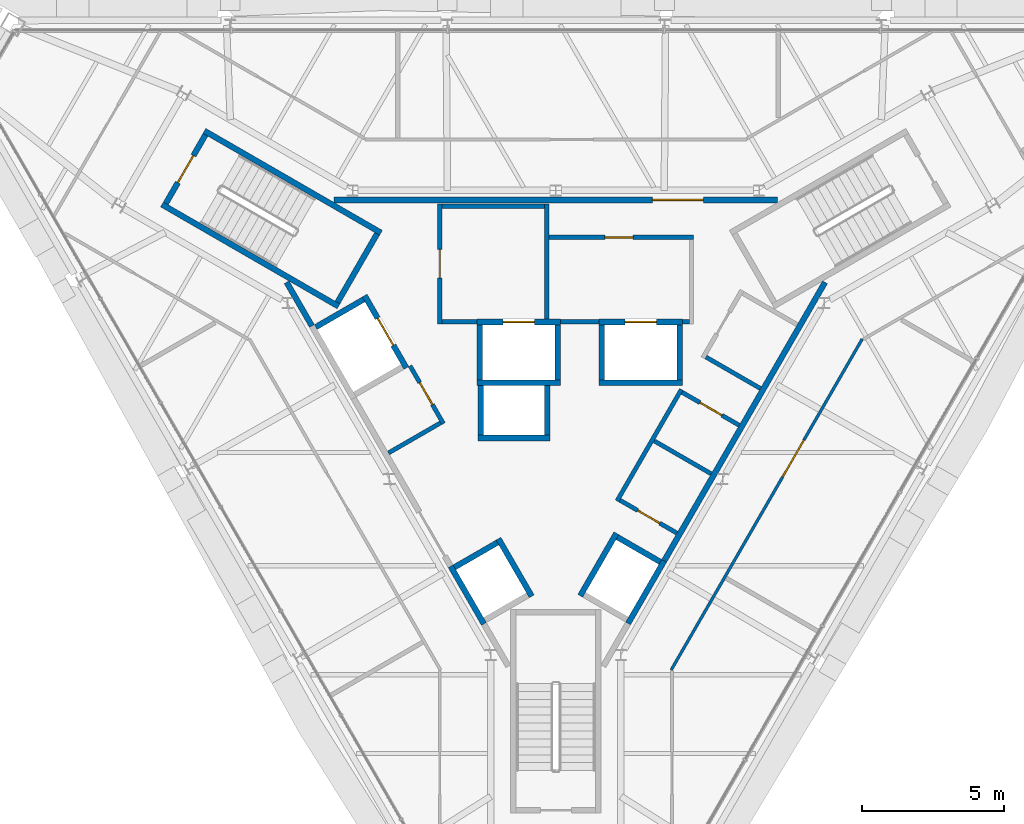
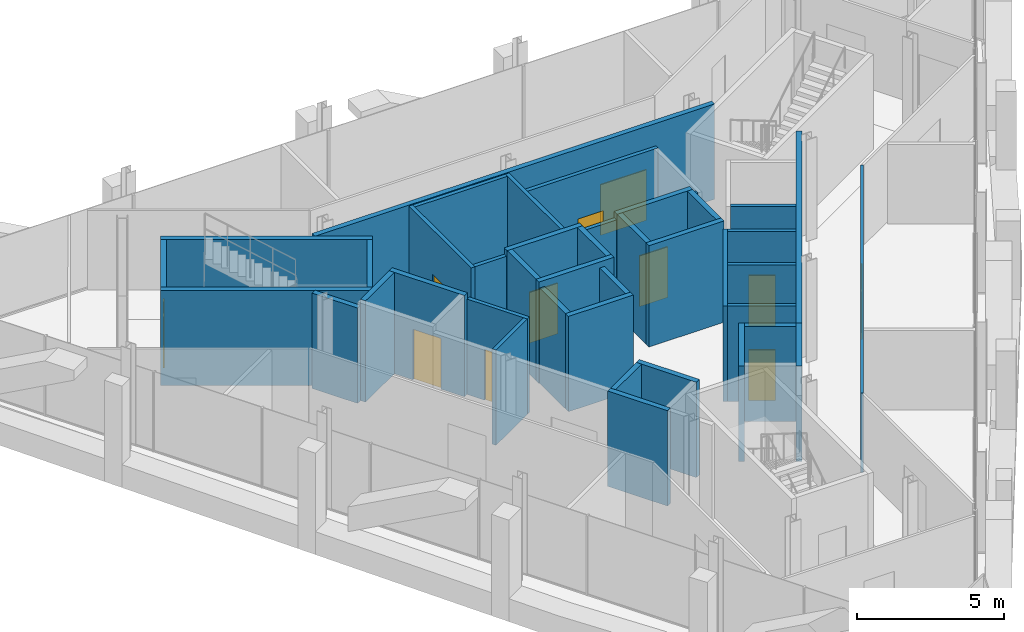
# One storey, part 10 of 13: 41 walls, 11 doors, 11 openings.
"""IFC4 building model written with IfcOpenShell, lengths in metres."""

from ifc_helpers import new_model, si_unit, direction, frame, frame_2d, origin, place, context, subcontext, project, spatial, rectangle, extrude, material, layer, layer_set, type_object, element, fill, save


model = new_model("IFC4")

# Units and contexts
model_context = context("Model", 3, precision=1e-05, world=origin(), true_north=direction((0.0, 1.0)))
body_context = subcontext(model_context, "Body", "Model", "MODEL_VIEW")
ifc_project = project(units=[si_unit("LENGTHUNIT", "METRE"), si_unit("AREAUNIT", "SQUARE_METRE"), si_unit("VOLUMEUNIT", "CUBIC_METRE"), si_unit("PLANEANGLEUNIT", "RADIAN"), si_unit("MASSUNIT", "GRAM", prefix="KILO")], contexts=[model_context])

# Site, building, storey
site_placement = place(None, origin())
site = spatial("IfcSite", under=ifc_project, at=site_placement, CompositionType="ELEMENT")
building_placement = place(site_placement, origin())
building = spatial("IfcBuilding", under=site, at=building_placement, Name="Verrane Prism Tower", CompositionType="ELEMENT")
storey_placement = place(building_placement, frame((0.0, 0.0, 308.39990234375)))
storey = spatial("IfcBuildingStorey", under=building, at=storey_placement, Name="L78", CompositionType="ELEMENT", Elevation=308.39990234375)

# Wall
ifc_material_1 = material(Name="Gypsum board partition", Category="other")
ifc_layer_1 = layer(ifc_material_1, 0.199951171875)
ifc_layer_set_1 = layer_set([ifc_layer_1], Name="CW-200 core boundary wall 2 h")
wall_type_1 = type_object("IfcWallType", Name="CW-200 core boundary wall 2 h", PredefinedType="PARTITIONING", material=ifc_layer_set_1)
wall_1_placement = place(storey_placement, frame((-9.509033203125, 3.550537109375, 0.0), z_axis=(0.0, 0.0, 1.0), x_axis=(0.499999136801, -0.866025902152, 0.0)))
element("IfcWall", 1, at=wall_1_placement, inside=storey, type_object=wall_type_1, Name="Core boundary wall CW3-001", PredefinedType="PARTITIONING", context=body_context, shape_type="SweptSolid", body=[
    extrude(rectangle(XDim=1.7822265625, YDim=0.199951171875, at=frame_2d((0.89111328125, 0.0))), origin(), (0.0, 0.0, 1.0), 3.9501953125),
])

# Wall, opening, door
wall_2_placement = place(storey_placement, frame((7.8291015625, 6.4599609375, 0.0), z_axis=(0.0, 0.0, 1.0), x_axis=(-1.0, 0.0, 0.0)))
wall_2 = element("IfcWall", 2, at=wall_2_placement, inside=storey, type_object=wall_type_1, Name="Core boundary wall CW3-002", PredefinedType="PARTITIONING", context=body_context, shape_type="SweptSolid", body=[
    extrude(rectangle(XDim=15.658203125, YDim=0.199951171875, at=frame_2d((7.8291015625, 0.0))), origin(), (0.0, 0.0, 1.0), 3.9501953125),
])
opening_1_placement = place(wall_2_placement, frame((2.617919921875, 0.0, 0.0)))
opening_1 = element("IfcOpeningElement", 3, at=opening_1_placement, cuts=wall_2, Name="Opening D78506", PredefinedType="OPENING", context=body_context, shape_type="SweptSolid", body=[
    extrude(rectangle(XDim=1.800048828125, YDim=2.10009765625, at=frame_2d((0.89990234375, 1.050048828125))), frame((0.0, 0.10986328125, 0.0), z_axis=(0.0, -1.0, 0.0), x_axis=(1.0, 0.0, 0.0)), (0.0, 0.0, 1.0), 0.219970703125),
])
ifc_material_2 = material(Name="Timber veneered door leaf", Category="wood")
door_type_1 = type_object("IfcDoorType", Name="DR-1800x2100 FD60 double leaf lift lobby", OperationType="NOTDEFINED", PredefinedType="DOOR", material=ifc_material_2)
door_1_placement = place(opening_1_placement, origin())
door_1 = element("IfcDoor", 4, at=door_1_placement, inside=storey, type_object=door_type_1, Name="Lift lobby door D78506", OperationType="DOUBLE_DOOR_SINGLE_SWING", OverallHeight=2.10009765625, OverallWidth=1.800048828125, PredefinedType="DOOR", context=body_context, shape_type="SweptSolid", body=[
    extrude(rectangle(XDim=1.800048828125, YDim=2.10009765625, at=frame_2d((0.89990234375, 1.050048828125))), frame((0.0, 0.02490234375, 0.0), z_axis=(0.0, -1.0, 0.0), x_axis=(1.0, 0.0, 0.0)), (0.0, 0.0, 1.0), 0.050048828125),
])
fill(opening_1, door_1)

# Wall
wall_3_placement = place(storey_placement, frame((3.827880859375, -6.2900390625, 0.0), z_axis=(0.0, 0.0, 1.0), x_axis=(0.499979739078, 0.866037101117, 0.0)))
element("IfcWall", 5, at=wall_3_placement, inside=storey, type_object=wall_type_1, Name="Core boundary wall CW3-006", PredefinedType="PARTITIONING", context=body_context, shape_type="SweptSolid", body=[
    extrude(rectangle(XDim=11.36279296875, YDim=0.199951171875, at=frame_2d((5.681396484375, 0.0))), origin(), (0.0, 0.0, 1.0), 3.9501953125),
])

# Wall, opening, door
ifc_material_3 = material(Name="Concrete C40/50", Category="concrete")
ifc_layer_2 = layer(ifc_material_3, 0.199951171875)
ifc_layer_set_2 = layer_set([ifc_layer_2], Name="CW-200 stair core wall concrete C40/50 3 h")
wall_type_2 = type_object("IfcWallType", Name="CW-200 stair core wall concrete C40/50 3 h", PredefinedType="PARTITIONING", material=ifc_layer_set_2)
wall_4_placement = place(storey_placement, frame((-12.376953125, 8.762451171875, 0.0), z_axis=(0.0, 0.0, 1.0), x_axis=(-0.500049511043, -0.865996816683, 0.0)))
wall_4 = element("IfcWall", 6, at=wall_4_placement, inside=storey, type_object=wall_type_2, Name="Stair 2 enclosure wall", PredefinedType="PARTITIONING", context=body_context, shape_type="SweptSolid", body=[
    extrude(rectangle(XDim=2.800048828125, YDim=0.199951171875, at=frame_2d((1.39990234375, 0.0))), origin(), (0.0, 0.0, 1.0), 3.9501953125),
])
opening_2_placement = place(wall_4_placement, frame((0.849853515625, 0.0, 0.0)))
opening_2 = element("IfcOpeningElement", 7, at=opening_2_placement, cuts=wall_4, Name="Opening D78501", PredefinedType="OPENING", context=body_context, shape_type="SweptSolid", body=[
    extrude(rectangle(XDim=1.10009765625, YDim=2.10009765625, at=frame_2d((0.550048828125, 1.050048828125))), frame((0.0, 0.10986328125, 0.0), z_axis=(0.0, -1.0, 0.0), x_axis=(1.0, 0.0, 0.0)), (0.0, 0.0, 1.0), 0.219970703125),
])
ifc_material_4 = material(Name="Timber veneered door leaf", Category="wood")
door_type_2 = type_object("IfcDoorType", Name="DR-1100x2100 FD90 single leaf stair", OperationType="NOTDEFINED", PredefinedType="DOOR", material=ifc_material_4)
door_2_placement = place(opening_2_placement, origin())
door_2 = element("IfcDoor", 8, at=door_2_placement, inside=storey, type_object=door_type_2, Name="Stair 2 door", OperationType="SINGLE_SWING_RIGHT", OverallHeight=2.10009765625, OverallWidth=1.10009765625, PredefinedType="DOOR", context=body_context, shape_type="SweptSolid", body=[
    extrude(rectangle(XDim=1.10009765625, YDim=2.10009765625, at=frame_2d((0.550048828125, 1.050048828125))), frame((0.0, 0.02490234375, 0.0), z_axis=(0.0, -1.0, 0.0), x_axis=(1.0, 0.0, 0.0)), (0.0, 0.0, 1.0), 0.050048828125),
])
fill(opening_2, door_2)

# Walls
for number, where, z_axis, x_axis, name in (
    (9, (-7.67822265625, 2.700927734375, 0.0), (0.0, 0.0, 1.0), (-0.866018442252, 0.500012057535, 0.0), "Stair 2 enclosure wall"),
    (10, (-6.17822265625, 5.299072265625, 0.0), (0.0, 0.0, 1.0), (-0.866033125095, 0.499986626058, 0.0), "Stair 2 enclosure wall"),
):
    element("IfcWall", number, at=place(storey_placement, frame(where, z_axis=z_axis, x_axis=x_axis)), inside=storey, type_object=wall_type_2, Name=name, PredefinedType="PARTITIONING", context=body_context, shape_type="SweptSolid", body=[
        extrude(rectangle(XDim=7.199951171875, YDim=0.199951171875, at=frame_2d((3.60009765625, 0.0))), origin(), (0.0, 0.0, 1.0), 3.9501953125),
    ])
wall_5_placement = place(storey_placement, frame((-6.314697265625, 5.262451171875, 0.0), z_axis=(0.0, 0.0, 1.0), x_axis=(-0.500049511043, -0.865996816683, 0.0)))
element("IfcWall", 11, at=wall_5_placement, inside=storey, type_object=wall_type_2, Name="Stair 2 enclosure wall", PredefinedType="PARTITIONING", context=body_context, shape_type="SweptSolid", body=[
    extrude(rectangle(XDim=2.800048828125, YDim=0.199951171875, at=frame_2d((1.39990234375, 0.0))), origin(), (0.0, 0.0, 1.0), 3.9501953125),
])
ifc_material_5 = material(Name="Gypsum board shaft wall assembly", Category="other")
ifc_layer_3 = layer(ifc_material_5, 0.199951171875)
ifc_layer_set_3 = layer_set([ifc_layer_3], Name="HW-200 lift shaft wall 2 h")
wall_type_3 = type_object("IfcWallType", Name="HW-200 lift shaft wall 2 h", PredefinedType="PARTITIONING", material=ifc_layer_set_3)
wall_6_placement = place(storey_placement, frame((-2.7548828125, -1.949951171875, 0.0), z_axis=(0.0, 0.0, 1.0), x_axis=(1.0, 0.0, 0.0)))
element("IfcWall", 12, at=wall_6_placement, inside=storey, type_object=wall_type_3, Name="Lift shaft wall", PredefinedType="PARTITIONING", context=body_context, shape_type="SweptSolid", body=[
    extrude(rectangle(XDim=2.5498046875, YDim=0.199951171875, at=frame_2d((1.27490234375, 0.0))), origin(), (0.0, 0.0, 1.0), 3.9501953125),
])
wall_7_placement = place(storey_placement, frame((-2.784912109375, 0.0, 0.0), z_axis=(0.0, 0.0, 1.0), x_axis=(1.0, 0.0, 0.0)))
element("IfcWall", 13, at=wall_7_placement, inside=storey, type_object=wall_type_3, Name="Lift shaft wall", PredefinedType="PARTITIONING", context=body_context, shape_type="SweptSolid", body=[
    extrude(rectangle(XDim=2.949951171875, YDim=0.199951171875, at=frame_2d((1.47509765625, 0.0))), origin(), (0.0, 0.0, 1.0), 4.2001953125),
])
wall_8_placement = place(storey_placement, frame((1.52490234375, 0.0, 0.0), z_axis=(0.0, 0.0, 1.0), x_axis=(1.0, 0.0, 0.0)))
element("IfcWall", 14, at=wall_8_placement, inside=storey, type_object=wall_type_3, Name="Lift shaft wall", PredefinedType="PARTITIONING", context=body_context, shape_type="SweptSolid", body=[
    extrude(rectangle(XDim=2.9501953125, YDim=0.199951171875, at=frame_2d((1.47509765625, 0.0))), origin(), (0.0, 0.0, 1.0), 4.2001953125),
])

# Wall, opening, door
wall_9_placement = place(storey_placement, frame((-2.784912109375, 2.14990234375, 0.0), z_axis=(0.0, 0.0, 1.0), x_axis=(1.0, 0.0, 0.0)))
wall_9 = element("IfcWall", 15, at=wall_9_placement, inside=storey, type_object=wall_type_3, Name="Lift shaft wall", PredefinedType="PARTITIONING", context=body_context, shape_type="SweptSolid", body=[
    extrude(rectangle(XDim=2.949951171875, YDim=0.199951171875, at=frame_2d((1.47509765625, 0.0))), origin(), (0.0, 0.0, 1.0), 4.2001953125),
])
opening_3_placement = place(wall_9_placement, frame((0.925048828125, 0.0, 0.0)))
opening_3 = element("IfcOpeningElement", 16, at=opening_3_placement, cuts=wall_9, Name="Opening D78503", PredefinedType="OPENING", context=body_context, shape_type="SweptSolid", body=[
    extrude(rectangle(XDim=1.10009765625, YDim=2.10009765625, at=frame_2d((0.550048828125, 1.050048828125))), frame((0.0, 0.10986328125, 0.0), z_axis=(0.0, -1.0, 0.0), x_axis=(1.0, 0.0, 0.0)), (0.0, 0.0, 1.0), 0.219970703125),
])
ifc_material_6 = material(Name="Stainless steel sliding landing door", Category="steel")
door_type_3 = type_object("IfcDoorType", Name="LD-1100x2100 lift landing door FD90 sliding", OperationType="NOTDEFINED", PredefinedType="DOOR", material=ifc_material_6)
door_3_placement = place(opening_3_placement, origin())
door_3 = element("IfcDoor", 17, at=door_3_placement, inside=storey, type_object=door_type_3, Name="Fire service lift 1 landing door", OperationType="SLIDING_TO_LEFT", OverallHeight=2.10009765625, OverallWidth=1.10009765625, PredefinedType="DOOR", context=body_context, shape_type="SweptSolid", body=[
    extrude(rectangle(XDim=1.10009765625, YDim=2.10009765625, at=frame_2d((0.550048828125, 1.050048828125))), frame((0.0, 0.02490234375, 0.0), z_axis=(0.0, -1.0, 0.0), x_axis=(1.0, 0.0, 0.0)), (0.0, 0.0, 1.0), 0.050048828125),
])
fill(opening_3, door_3)

wall_10_placement = place(storey_placement, frame((1.52490234375, 2.14990234375, 0.0), z_axis=(0.0, 0.0, 1.0), x_axis=(1.0, 0.0, 0.0)))
wall_10 = element("IfcWall", 18, at=wall_10_placement, inside=storey, type_object=wall_type_3, Name="Lift shaft wall", PredefinedType="PARTITIONING", context=body_context, shape_type="SweptSolid", body=[
    extrude(rectangle(XDim=2.9501953125, YDim=0.199951171875, at=frame_2d((1.47509765625, 0.0))), origin(), (0.0, 0.0, 1.0), 4.2001953125),
])
opening_4_placement = place(wall_10_placement, frame((0.925048828125, 0.0, 0.0)))
opening_4 = element("IfcOpeningElement", 19, at=opening_4_placement, cuts=wall_10, Name="Opening D78504", PredefinedType="OPENING", context=body_context, shape_type="SweptSolid", body=[
    extrude(rectangle(XDim=1.10009765625, YDim=2.10009765625, at=frame_2d((0.550048828125, 1.050048828125))), frame((0.0, 0.10986328125, 0.0), z_axis=(0.0, -1.0, 0.0), x_axis=(1.0, 0.0, 0.0)), (0.0, 0.0, 1.0), 0.219970703125),
])
door_4_placement = place(opening_4_placement, origin())
door_4 = element("IfcDoor", 20, at=door_4_placement, inside=storey, type_object=door_type_3, Name="Fire service lift 2 landing door", OperationType="SLIDING_TO_RIGHT", OverallHeight=2.10009765625, OverallWidth=1.10009765625, PredefinedType="DOOR", context=body_context, shape_type="SweptSolid", body=[
    extrude(rectangle(XDim=1.10009765625, YDim=2.10009765625, at=frame_2d((0.550048828125, 1.050048828125))), frame((0.0, 0.02490234375, 0.0), z_axis=(0.0, -1.0, 0.0), x_axis=(1.0, 0.0, 0.0)), (0.0, 0.0, 1.0), 0.050048828125),
])
fill(opening_4, door_4)

# Walls
wall_11_placement = place(storey_placement, frame((-3.580322265625, -6.5185546875, 0.0), z_axis=(0.0, 0.0, 1.0), x_axis=(0.866002029911, 0.500040482552, 0.0)))
element("IfcWall", 21, at=wall_11_placement, inside=storey, type_object=wall_type_3, Name="Lift shaft wall", PredefinedType="PARTITIONING", context=body_context, shape_type="SweptSolid", body=[
    extrude(rectangle(XDim=1.749755859375, YDim=0.199951171875, at=frame_2d((0.875, 0.0))), origin(), (0.0, 0.0, 1.0), 3.9501953125),
])
wall_12_placement = place(storey_placement, frame((-8.48046875, 1.968505859375, 0.0), z_axis=(0.0, 0.0, 1.0), x_axis=(0.866000020948, 0.500043961785, 0.0)))
element("IfcWall", 22, at=wall_12_placement, inside=storey, type_object=wall_type_3, Name="Lift shaft wall", PredefinedType="PARTITIONING", context=body_context, shape_type="SweptSolid", body=[
    extrude(rectangle(XDim=1.949951171875, YDim=0.199951171875, at=frame_2d((0.97509765625, 0.0))), origin(), (0.0, 0.0, 1.0), 4.2001953125),
])
for number, where, z_axis, x_axis, name in (
    (23, (2.552001953125, -8.499755859375, 0.0), (0.0, 0.0, 1.0), (0.499990435942, 0.866030925526, 0.0), "Lift shaft wall"),
    (24, (0.86328125, -7.524658203125, 0.0), (0.0, 0.0, 1.0), (0.499990435942, 0.866030925526, 0.0), "Lift shaft wall"),
):
    element("IfcWall", number, at=place(storey_placement, frame(where, z_axis=z_axis, x_axis=x_axis)), inside=storey, type_object=wall_type_3, Name=name, PredefinedType="PARTITIONING", context=body_context, shape_type="SweptSolid", body=[
        extrude(rectangle(XDim=2.5498046875, YDim=0.199951171875, at=frame_2d((1.27490234375, 0.0))), origin(), (0.0, 0.0, 1.0), 3.9501953125),
    ])
for number, where, z_axis, x_axis, name in (
    (25, (4.375, 0.10009765625, 0.0), (0.0, 0.0, 1.0), (0.0, 1.0, 0.0), "Lift shaft wall"),
    (26, (1.625, 0.10009765625, 0.0), (0.0, 0.0, 1.0), (0.0, 1.0, 0.0), "Lift shaft wall"),
    (27, (0.06494140625, 0.10009765625, 0.0), (0.0, 0.0, 1.0), (0.0, 1.0, 0.0), "Lift shaft wall"),
):
    element("IfcWall", number, at=place(storey_placement, frame(where, z_axis=z_axis, x_axis=x_axis)), inside=storey, type_object=wall_type_3, Name=name, PredefinedType="PARTITIONING", context=body_context, shape_type="SweptSolid", body=[
        extrude(rectangle(XDim=1.949951171875, YDim=0.199951171875, at=frame_2d((0.97509765625, 0.0))), origin(), (0.0, 0.0, 1.0), 4.2001953125),
    ])
for number, where, z_axis, x_axis, name in (
    (28, (-0.304931640625, -1.85009765625, 0.0), (0.0, 0.0, 1.0), (0.0, 1.0, 0.0), "Lift shaft wall"),
    (29, (-2.655029296875, -1.85009765625, 0.0), (0.0, 0.0, 1.0), (0.0, 1.0, 0.0), "Lift shaft wall"),
):
    element("IfcWall", number, at=place(storey_placement, frame(where, z_axis=z_axis, x_axis=x_axis)), inside=storey, type_object=wall_type_3, Name=name, PredefinedType="PARTITIONING", context=body_context, shape_type="SweptSolid", body=[
        extrude(rectangle(XDim=1.75, YDim=0.199951171875, at=frame_2d((0.875, 0.0))), origin(), (0.0, 0.0, 1.0), 3.9501953125),
    ])
wall_13_placement = place(storey_placement, frame((-2.68505859375, 0.10009765625, 0.0), z_axis=(0.0, 0.0, 1.0), x_axis=(0.0, 1.0, 0.0)))
element("IfcWall", 30, at=wall_13_placement, inside=storey, type_object=wall_type_3, Name="Lift shaft wall", PredefinedType="PARTITIONING", context=body_context, shape_type="SweptSolid", body=[
    extrude(rectangle(XDim=1.949951171875, YDim=0.199951171875, at=frame_2d((0.97509765625, 0.0))), origin(), (0.0, 0.0, 1.0), 4.2001953125),
])

# Wall, opening, door
wall_14_placement = place(storey_placement, frame((-5.280029296875, 0.525390625, 0.0), z_axis=(0.0, 0.0, 1.0), x_axis=(-0.500037662692, 0.866003658127, 0.0)))
wall_14 = element("IfcWall", 31, at=wall_14_placement, inside=storey, type_object=wall_type_3, Name="Lift shaft wall", PredefinedType="PARTITIONING", context=body_context, shape_type="SweptSolid", body=[
    extrude(rectangle(XDim=2.949951171875, YDim=0.199951171875, at=frame_2d((1.47509765625, 0.0))), origin(), (0.0, 0.0, 1.0), 4.2001953125),
])
opening_5_placement = place(wall_14_placement, frame((0.925048828125, 0.0, 0.0)))
opening_5 = element("IfcOpeningElement", 32, at=opening_5_placement, cuts=wall_14, Name="Opening D78505", PredefinedType="OPENING", context=body_context, shape_type="SweptSolid", body=[
    extrude(rectangle(XDim=1.10009765625, YDim=2.10009765625, at=frame_2d((0.550048828125, 1.050048828125))), frame((0.0, 0.10986328125, 0.0), z_axis=(0.0, -1.0, 0.0), x_axis=(1.0, 0.0, 0.0)), (0.0, 0.0, 1.0), 0.219970703125),
])
door_5_placement = place(opening_5_placement, origin())
door_5 = element("IfcDoor", 33, at=door_5_placement, inside=storey, type_object=door_type_3, Name="Service lift 1 landing door", OperationType="SLIDING_TO_LEFT", OverallHeight=2.10009765625, OverallWidth=1.10009765625, PredefinedType="DOOR", context=body_context, shape_type="SweptSolid", body=[
    extrude(rectangle(XDim=1.10009765625, YDim=2.10009765625, at=frame_2d((0.550048828125, 1.050048828125))), frame((0.0, 0.02490234375, 0.0), z_axis=(0.0, -1.0, 0.0), x_axis=(1.0, 0.0, 0.0)), (0.0, 0.0, 1.0), 0.050048828125),
])
fill(opening_5, door_5)

# Walls
for number, where, z_axis, x_axis, name in (
    (34, (-0.853271484375, -7.5419921875, 0.0), (0.0, 0.0, 1.0), (-0.500016218704, 0.866016039709, 0.0), "Lift shaft wall"),
    (35, (-2.5419921875, -8.51708984375, 0.0), (0.0, 0.0, 1.0), (-0.500016218704, 0.866016039709, 0.0), "Lift shaft wall"),
):
    element("IfcWall", number, at=place(storey_placement, frame(where, z_axis=z_axis, x_axis=x_axis)), inside=storey, type_object=wall_type_3, Name=name, PredefinedType="PARTITIONING", context=body_context, shape_type="SweptSolid", body=[
        extrude(rectangle(XDim=2.35009765625, YDim=0.199951171875, at=frame_2d((1.175048828125, 0.0))), origin(), (0.0, 0.0, 1.0), 3.9501953125),
    ])
wall_15_placement = place(storey_placement, frame((3.6904296875, -6.327880859375, 0.0), z_axis=(0.0, 0.0, 1.0), x_axis=(-0.866036909293, 0.499980071345, 0.0)))
element("IfcWall", 36, at=wall_15_placement, inside=storey, type_object=wall_type_3, Name="Lift shaft wall", PredefinedType="PARTITIONING", context=body_context, shape_type="SweptSolid", body=[
    extrude(rectangle(XDim=1.75, YDim=0.199951171875, at=frame_2d((0.875, 0.0))), origin(), (0.0, 0.0, 1.0), 3.9501953125),
])

# Wall, opening, door
ifc_material_7 = material(Name="Gypsum board partition", Category="other")
ifc_layer_4 = layer(ifc_material_7, 0.14990234375)
ifc_layer_set_4 = layer_set([ifc_layer_4], Name="LF-150 firefighting lobby wall 1 h")
wall_type_4 = type_object("IfcWallType", Name="LF-150 firefighting lobby wall 1 h", PredefinedType="PARTITIONING", material=ifc_layer_set_4)
wall_16_placement = place(storey_placement, frame((-4.10009765625, 2.0849609375, 0.0), z_axis=(0.0, 0.0, 1.0), x_axis=(0.0, 1.0, 0.0)))
wall_16 = element("IfcWall", 37, at=wall_16_placement, inside=storey, type_object=wall_type_4, Name="Firefighting lobby wall LF1-001", PredefinedType="PARTITIONING", context=body_context, shape_type="SweptSolid", body=[
    extrude(rectangle(XDim=4.22998046875, YDim=0.14990234375, at=frame_2d((2.114990234375, 0.0))), origin(), (0.0, 0.0, 1.0), 3.9501953125),
])
opening_6_placement = place(wall_16_placement, frame((1.625, 0.0, 0.0)))
opening_6 = element("IfcOpeningElement", 38, at=opening_6_placement, cuts=wall_16, Name="Opening D78509", PredefinedType="OPENING", context=body_context, shape_type="SweptSolid", body=[
    extrude(rectangle(XDim=1.0, YDim=2.10009765625, at=frame_2d((0.5, 1.050048828125))), frame((0.0, 0.0849609375, 0.0), z_axis=(0.0, -1.0, 0.0), x_axis=(1.0, 0.0, 0.0)), (0.0, 0.0, 1.0), 0.169921875),
])
ifc_material_8 = material(Name="Timber veneered door leaf", Category="wood")
door_type_4 = type_object("IfcDoorType", Name="DR-1000x2100 FD60 single leaf firefighting lobby", OperationType="NOTDEFINED", PredefinedType="DOOR", material=ifc_material_8)
door_6_placement = place(opening_6_placement, origin())
door_6 = element("IfcDoor", 39, at=door_6_placement, inside=storey, type_object=door_type_4, Name="Firefighting lobby door D78509", OperationType="SINGLE_SWING_LEFT", OverallHeight=2.10009765625, OverallWidth=1.0, PredefinedType="DOOR", context=body_context, shape_type="SweptSolid", body=[
    extrude(rectangle(XDim=1.0, YDim=2.10009765625, at=frame_2d((0.5, 1.050048828125))), frame((0.0, 0.02490234375, 0.0), z_axis=(0.0, -1.0, 0.0), x_axis=(1.0, 0.0, 0.0)), (0.0, 0.0, 1.0), 0.050048828125),
])
fill(opening_6, door_6)

# Walls
wall_17_placement = place(storey_placement, frame((-4.02490234375, 2.159912109375, 0.0), z_axis=(0.0, 0.0, 1.0), x_axis=(1.0, 0.0, 0.0)))
element("IfcWall", 40, at=wall_17_placement, inside=storey, type_object=wall_type_4, Name="Firefighting lobby wall LF1-002", PredefinedType="PARTITIONING", context=body_context, shape_type="SweptSolid", body=[
    extrude(rectangle(XDim=1.23779296875, YDim=0.14990234375, at=frame_2d((0.618896484375, 0.0))), origin(), (0.0, 0.0, 1.0), 3.9501953125),
])
wall_18_placement = place(storey_placement, frame((-4.02490234375, 6.239990234375, 0.0), z_axis=(0.0, 0.0, 1.0), x_axis=(1.0, 0.0, 0.0)))
element("IfcWall", 41, at=wall_18_placement, inside=storey, type_object=wall_type_4, Name="Firefighting lobby wall LF1-003", PredefinedType="PARTITIONING", context=body_context, shape_type="SweptSolid", body=[
    extrude(rectangle(XDim=3.6298828125, YDim=0.14990234375, at=frame_2d((1.81494140625, 0.0))), origin(), (0.0, 0.0, 1.0), 3.9501953125),
])
wall_19_placement = place(storey_placement, frame((-0.320068359375, 2.251953125, 0.0), z_axis=(0.0, 0.0, 1.0), x_axis=(0.0, 1.0, 0.0)))
element("IfcWall", 42, at=wall_19_placement, inside=storey, type_object=wall_type_4, Name="Firefighting lobby wall LF1-004", PredefinedType="PARTITIONING", context=body_context, shape_type="SweptSolid", body=[
    extrude(rectangle(XDim=4.06298828125, YDim=0.14990234375, at=frame_2d((2.031494140625, 0.0))), origin(), (0.0, 0.0, 1.0), 3.9501953125),
])

# Wall, opening, door
wall_20_placement = place(storey_placement, frame((-0.2451171875, 5.139892578125, 0.0), z_axis=(0.0, 0.0, 1.0), x_axis=(1.0, 0.0, 0.0)))
wall_20 = element("IfcWall", 43, at=wall_20_placement, inside=storey, type_object=wall_type_4, Name="Firefighting lobby wall LF1-005", PredefinedType="PARTITIONING", context=body_context, shape_type="SweptSolid", body=[
    extrude(rectangle(XDim=5.110107421875, YDim=0.14990234375, at=frame_2d((2.55517578125, 0.0))), origin(), (0.0, 0.0, 1.0), 3.9501953125),
])
opening_7_placement = place(wall_20_placement, frame((1.97509765625, 0.0, 0.0)))
opening_7 = element("IfcOpeningElement", 44, at=opening_7_placement, cuts=wall_20, Name="Opening D78510", PredefinedType="OPENING", context=body_context, shape_type="SweptSolid", body=[
    extrude(rectangle(XDim=1.0, YDim=2.10009765625, at=frame_2d((0.5, 1.050048828125))), frame((0.0, 0.0849609375, 0.0), z_axis=(0.0, -1.0, 0.0), x_axis=(1.0, 0.0, 0.0)), (0.0, 0.0, 1.0), 0.169921875),
])
door_7_placement = place(opening_7_placement, origin())
door_7 = element("IfcDoor", 45, at=door_7_placement, inside=storey, type_object=door_type_4, Name="Firefighting lobby door D78510", OperationType="SINGLE_SWING_RIGHT", OverallHeight=2.10009765625, OverallWidth=1.0, PredefinedType="DOOR", context=body_context, shape_type="SweptSolid", body=[
    extrude(rectangle(XDim=1.0, YDim=2.10009765625, at=frame_2d((0.5, 1.050048828125))), frame((0.0, 0.02490234375, 0.0), z_axis=(0.0, -1.0, 0.0), x_axis=(1.0, 0.0, 0.0)), (0.0, 0.0, 1.0), 0.050048828125),
])
fill(opening_7, door_7)

# Walls
wall_21_placement = place(storey_placement, frame((0.1669921875, 2.159912109375, 0.0), z_axis=(0.0, 0.0, 1.0), x_axis=(1.0, 0.0, 0.0)))
element("IfcWall", 46, at=wall_21_placement, inside=storey, type_object=wall_type_4, Name="Firefighting lobby wall LF1-006", PredefinedType="PARTITIONING", context=body_context, shape_type="SweptSolid", body=[
    extrude(rectangle(XDim=1.35595703125, YDim=0.14990234375, at=frame_2d((0.677978515625, 0.0))), origin(), (0.0, 0.0, 1.0), 3.9501953125),
])
wall_22_placement = place(storey_placement, frame((4.47705078125, 2.159912109375, 0.0), z_axis=(0.0, 0.0, 1.0), x_axis=(1.0, 0.0, 0.0)))
element("IfcWall", 47, at=wall_22_placement, inside=storey, type_object=wall_type_4, Name="Firefighting lobby wall LF1-007", PredefinedType="PARTITIONING", context=body_context, shape_type="SweptSolid", body=[
    extrude(rectangle(XDim=0.238037109375, YDim=0.14990234375, at=frame_2d((0.119140625, 0.0))), origin(), (0.0, 0.0, 1.0), 3.9501953125),
])

# Wall, opening, door
ifc_material_9 = material(Name="Gypsum board partition", Category="other")
ifc_layer_5 = layer(ifc_material_9, 0.10009765625)
ifc_layer_set_5 = layer_set([ifc_layer_5], Name="PW-100 crown corridor wall 1 h")
wall_type_5 = type_object("IfcWallType", Name="PW-100 crown corridor wall 1 h", PredefinedType="PARTITIONING", material=ifc_layer_set_5)
wall_23_placement = place(storey_placement, frame((10.822998046875, 1.54541015625, 0.0), z_axis=(0.0, 0.0, 1.0), x_axis=(-0.499912942625, -0.866075660549, 0.0)))
wall_23 = element("IfcWall", 48, at=wall_23_placement, inside=storey, type_object=wall_type_5, Name="Corridor wall 012", PredefinedType="PARTITIONING", context=body_context, shape_type="SweptSolid", body=[
    extrude(rectangle(XDim=13.49853515625, YDim=0.10009765625, at=frame_2d((6.749267578125, 0.0))), origin(), (0.0, 0.0, 1.0), 3.297119140625),
])
opening_8_placement = place(wall_23_placement, frame((4.119384765625, 0.0, 0.0)))
opening_8 = element("IfcOpeningElement", 49, at=opening_8_placement, cuts=wall_23, Name="Opening D78009", PredefinedType="OPENING", context=body_context, shape_type="SweptSolid", body=[
    extrude(rectangle(XDim=1.5, YDim=2.10009765625, at=frame_2d((0.75, 1.050048828125))), frame((0.0, 0.06005859375, 0.0), z_axis=(0.0, -1.0, 0.0), x_axis=(1.0, 0.0, 0.0)), (0.0, 0.0, 1.0), 0.1201171875),
])
ifc_material_10 = material(Name="Timber veneered door leaf", Category="wood")
door_type_5 = type_object("IfcDoorType", Name="DR-1500x2100 FD60 double leaf unit", OperationType="NOTDEFINED", PredefinedType="DOOR", material=ifc_material_10)
door_8_placement = place(opening_8_placement, origin())
door_8 = element("IfcDoor", 50, at=door_8_placement, inside=storey, type_object=door_type_5, Name="Mechanical Plant Room door", OperationType="DOUBLE_DOOR_SINGLE_SWING", OverallHeight=2.10009765625, OverallWidth=1.5, PredefinedType="DOOR", context=body_context, shape_type="SweptSolid", body=[
    extrude(rectangle(XDim=1.5, YDim=2.10009765625, at=frame_2d((0.75, 1.050048828125))), frame((0.0, 0.02490234375, 0.0), z_axis=(0.0, -1.0, 0.0), x_axis=(1.0, 0.0, 0.0)), (0.0, 0.0, 1.0), 0.050048828125),
])
fill(opening_8, door_8)

# Wall
ifc_material_11 = material(Name="Gypsum board partition", Category="other")
ifc_layer_6 = layer(ifc_material_11, 0.14990234375)
ifc_layer_set_6 = layer_set([ifc_layer_6], Name="RS-150 riser enclosure wall 1 h")
wall_type_6 = type_object("IfcWallType", Name="RS-150 riser enclosure wall 1 h", PredefinedType="PARTITIONING", material=ifc_layer_set_6)
wall_24_placement = place(storey_placement, frame((-5.912353515625, -2.47802734375, 0.0), z_axis=(0.0, 0.0, 1.0), x_axis=(0.86611284933, 0.499848509276, 0.0)))
element("IfcWall", 51, at=wall_24_placement, inside=storey, type_object=wall_type_6, Name="Riser wall RS3-001", PredefinedType="PARTITIONING", context=body_context, shape_type="SweptSolid", body=[
    extrude(rectangle(XDim=2.123779296875, YDim=0.14990234375, at=frame_2d((1.06201171875, 0.0))), origin(), (0.0, 0.0, 1.0), 3.9501953125),
])

# Wall, opening, door
wall_25_placement = place(storey_placement, frame((-3.970458984375, -1.44384765625, 0.0), z_axis=(0.0, 0.0, 1.0), x_axis=(-0.499955275397, 0.866051224006, 0.0)))
wall_25 = element("IfcWall", 52, at=wall_25_placement, inside=storey, type_object=wall_type_6, Name="Riser wall RS3-002", PredefinedType="PARTITIONING", context=body_context, shape_type="SweptSolid", body=[
    extrude(rectangle(XDim=2.360107421875, YDim=0.14990234375, at=frame_2d((1.18017578125, 0.0))), origin(), (0.0, 0.0, 1.0), 3.9501953125),
])
opening_9_placement = place(wall_25_placement, frame((0.775146484375, 0.0, 0.0)))
opening_9 = element("IfcOpeningElement", 53, at=opening_9_placement, cuts=wall_25, Name="Opening D78508", PredefinedType="OPENING", context=body_context, shape_type="SweptSolid", body=[
    extrude(rectangle(XDim=0.89990234375, YDim=2.10009765625, at=frame_2d((0.449951171875, 1.050048828125))), frame((0.0, 0.0849609375, 0.0), z_axis=(0.0, -1.0, 0.0), x_axis=(1.0, 0.0, 0.0)), (0.0, 0.0, 1.0), 0.169921875),
])
ifc_material_12 = material(Name="Timber veneered door leaf", Category="wood")
door_type_6 = type_object("IfcDoorType", Name="DR-900x2100 FD20 single leaf store", OperationType="NOTDEFINED", PredefinedType="DOOR", material=ifc_material_12)
door_9_placement = place(opening_9_placement, origin())
door_9 = element("IfcDoor", 54, at=door_9_placement, inside=storey, type_object=door_type_6, Name="Room door D78508", OperationType="SINGLE_SWING_LEFT", OverallHeight=2.10009765625, OverallWidth=0.89990234375, PredefinedType="DOOR", context=body_context, shape_type="SweptSolid", body=[
    extrude(rectangle(XDim=0.89990234375, YDim=2.10009765625, at=frame_2d((0.449951171875, 1.050048828125))), frame((0.0, 0.02490234375, 0.0), z_axis=(0.0, -1.0, 0.0), x_axis=(1.0, 0.0, 0.0)), (0.0, 0.0, 1.0), 0.050048828125),
])
fill(opening_9, door_9)

wall_26_placement = place(storey_placement, frame((2.263916015625, -4.1474609375, 0.0), z_axis=(0.0, 0.0, 1.0), x_axis=(0.866112027296, -0.499849933654, 0.0)))
wall_26 = element("IfcWall", 55, at=wall_26_placement, inside=storey, type_object=wall_type_6, Name="Riser wall RS3-003", PredefinedType="PARTITIONING", context=body_context, shape_type="SweptSolid", body=[
    extrude(rectangle(XDim=2.321044921875, YDim=0.14990234375, at=frame_2d((1.16064453125, 0.0))), origin(), (0.0, 0.0, 1.0), 3.9501953125),
])
opening_10_placement = place(wall_26_placement, frame((0.72509765625, 0.0, 0.0)))
opening_10 = element("IfcOpeningElement", 56, at=opening_10_placement, cuts=wall_26, Name="Opening D78511", PredefinedType="OPENING", context=body_context, shape_type="SweptSolid", body=[
    extrude(rectangle(XDim=0.89990234375, YDim=2.10009765625, at=frame_2d((0.449951171875, 1.050048828125))), frame((0.0, 0.0849609375, 0.0), z_axis=(0.0, -1.0, 0.0), x_axis=(1.0, 0.0, 0.0)), (0.0, 0.0, 1.0), 0.169921875),
])
ifc_material_13 = material(Name="Timber veneered door leaf", Category="wood")
door_type_7 = type_object("IfcDoorType", Name="DR-900x2100 FD60 single leaf riser", OperationType="NOTDEFINED", PredefinedType="DOOR", material=ifc_material_13)
door_10_placement = place(opening_10_placement, origin())
door_10 = element("IfcDoor", 57, at=door_10_placement, inside=storey, type_object=door_type_7, Name="Riser door D78511", OperationType="SINGLE_SWING_LEFT", OverallHeight=2.10009765625, OverallWidth=0.89990234375, PredefinedType="DOOR", context=body_context, shape_type="SweptSolid", body=[
    extrude(rectangle(XDim=0.89990234375, YDim=2.10009765625, at=frame_2d((0.449951171875, 1.050048828125))), frame((0.0, 0.02490234375, 0.0), z_axis=(0.0, -1.0, 0.0), x_axis=(1.0, 0.0, 0.0)), (0.0, 0.0, 1.0), 0.050048828125),
])
fill(opening_10, door_10)

# Walls
wall_27_placement = place(storey_placement, frame((2.161376953125, -4.175048828125, 0.0), z_axis=(0.0, 0.0, 1.0), x_axis=(0.500069275991, 0.865985403578, 0.0)))
element("IfcWall", 58, at=wall_27_placement, inside=storey, type_object=wall_type_6, Name="Riser wall RS3-004", PredefinedType="PARTITIONING", context=body_context, shape_type="SweptSolid", body=[
    extrude(rectangle(XDim=4.549560546875, YDim=0.14990234375, at=frame_2d((2.27490234375, 0.0))), origin(), (0.0, 0.0, 1.0), 3.9501953125),
])
wall_28_placement = place(storey_placement, frame((3.478271484375, -2.053955078125, 0.0), z_axis=(0.0, 0.0, 1.0), x_axis=(0.865957384972, -0.500117793536, 0.0)))
element("IfcWall", 59, at=wall_28_placement, inside=storey, type_object=wall_type_6, Name="Riser wall RS3-005", PredefinedType="PARTITIONING", context=body_context, shape_type="SweptSolid", body=[
    extrude(rectangle(XDim=2.31640625, YDim=0.14990234375, at=frame_2d((1.158203125, 0.0))), origin(), (0.0, 0.0, 1.0), 3.9501953125),
])

# Wall, opening, door
wall_29_placement = place(storey_placement, frame((6.47412109375, -1.49755859375, 0.0), z_axis=(0.0, 0.0, 1.0), x_axis=(-0.866112027296, 0.499849933654, 0.0)))
wall_29 = element("IfcWall", 60, at=wall_29_placement, inside=storey, type_object=wall_type_6, Name="Riser wall RS3-006", PredefinedType="PARTITIONING", context=body_context, shape_type="SweptSolid", body=[
    extrude(rectangle(XDim=2.321044921875, YDim=0.14990234375, at=frame_2d((1.16064453125, 0.0))), origin(), (0.0, 0.0, 1.0), 3.9501953125),
])
opening_11_placement = place(wall_29_placement, frame((0.69580078125, 0.0, 0.0)))
opening_11 = element("IfcOpeningElement", 61, at=opening_11_placement, cuts=wall_29, Name="Opening D78512", PredefinedType="OPENING", context=body_context, shape_type="SweptSolid", body=[
    extrude(rectangle(XDim=0.89990234375, YDim=2.10009765625, at=frame_2d((0.449951171875, 1.050048828125))), frame((0.0, 0.0849609375, 0.0), z_axis=(0.0, -1.0, 0.0), x_axis=(1.0, 0.0, 0.0)), (0.0, 0.0, 1.0), 0.169921875),
])
door_11_placement = place(opening_11_placement, origin())
door_11 = element("IfcDoor", 62, at=door_11_placement, inside=storey, type_object=door_type_7, Name="Riser door D78512", OperationType="SINGLE_SWING_LEFT", OverallHeight=2.10009765625, OverallWidth=0.89990234375, PredefinedType="DOOR", context=body_context, shape_type="SweptSolid", body=[
    extrude(rectangle(XDim=0.89990234375, YDim=2.10009765625, at=frame_2d((0.449951171875, 1.050048828125))), frame((0.0, 0.02490234375, 0.0), z_axis=(0.0, -1.0, 0.0), x_axis=(1.0, 0.0, 0.0)), (0.0, 0.0, 1.0), 0.050048828125),
])
fill(opening_11, door_11)

# Wall
wall_30_placement = place(storey_placement, frame((5.301025390625, 0.91162109375, 0.0), z_axis=(0.0, 0.0, 1.0), x_axis=(0.866062920605, -0.499935013329, 0.0)))
element("IfcWall", 63, at=wall_30_placement, inside=storey, type_object=wall_type_6, Name="Riser wall RS3-008", PredefinedType="PARTITIONING", context=body_context, shape_type="SweptSolid", body=[
    extrude(rectangle(XDim=2.220458984375, YDim=0.14990234375, at=frame_2d((1.1103515625, 0.0))), origin(), (0.0, 0.0, 1.0), 3.9501953125),
])

save(model, "model.ifc")
